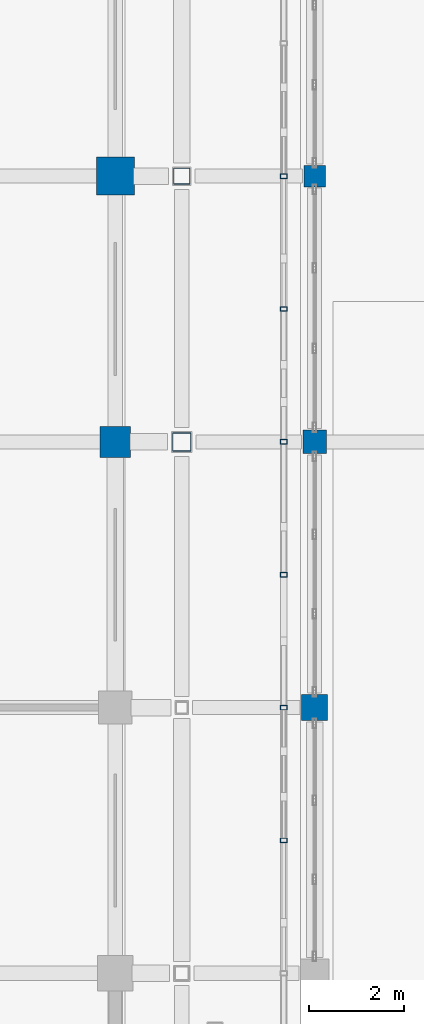
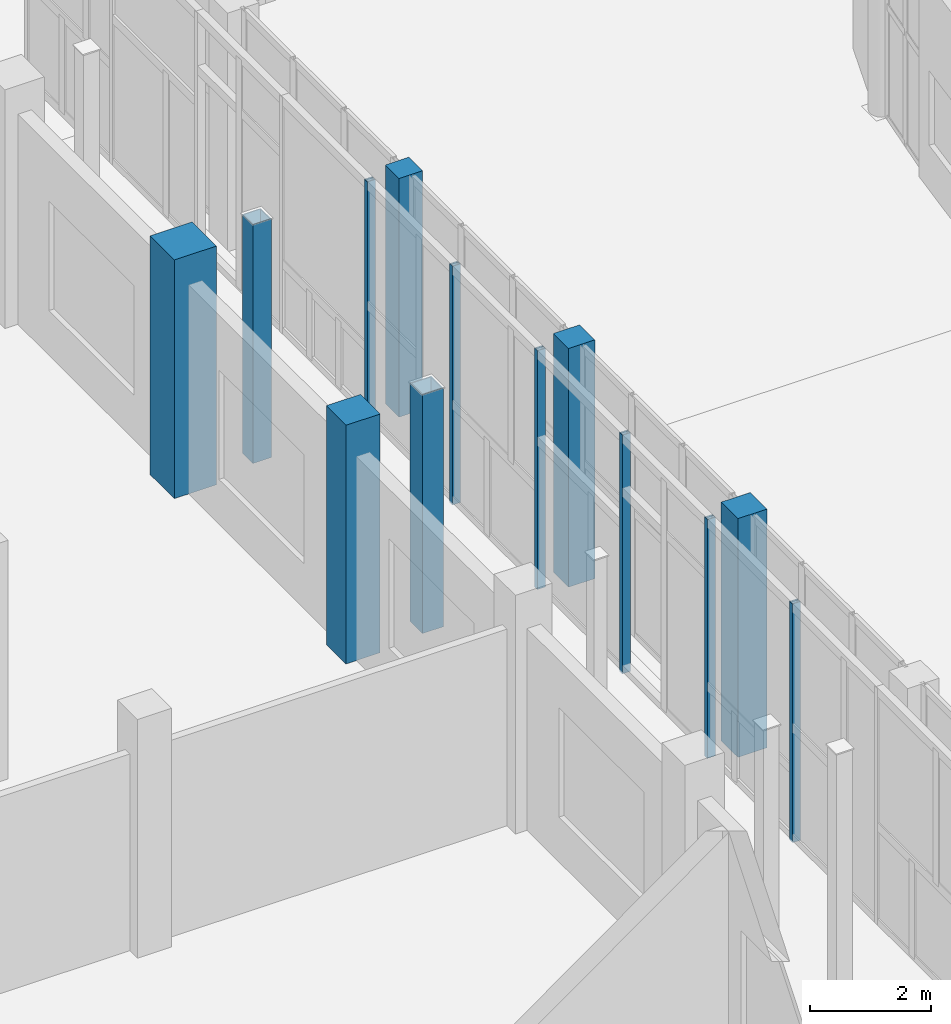
# One storey, part 8 of 91: 13 columns.
"""IFC4 building model written with IfcOpenShell, lengths in metres."""

from ifc_helpers import new_model, si_unit, direction, frame, origin, origin_2d, place, context, subcontext, project, spatial, rectangle, hollow_rectangle, extrude, material, material_profile, profile_set, type_object, element, save


model = new_model("IFC4")

# Units and contexts
model_context = context("Model", 3, precision=1e-05, world=origin(), true_north=direction((0.0, 1.0)))
body_context = subcontext(model_context, "Body", "Model", "MODEL_VIEW")
ifc_project = project(units=[si_unit("LENGTHUNIT", "METRE"), si_unit("AREAUNIT", "SQUARE_METRE"), si_unit("VOLUMEUNIT", "CUBIC_METRE"), si_unit("PLANEANGLEUNIT", "RADIAN"), si_unit("MASSUNIT", "GRAM", prefix="KILO")], contexts=[model_context])

# Site, building, storey
site_placement = place(None, origin())
site = spatial("IfcSite", under=ifc_project, at=site_placement, CompositionType="ELEMENT")
building_placement = place(site_placement, origin())
building = spatial("IfcBuilding", under=site, at=building_placement, Name="Vinh Khe Railworks Police Headquarters", CompositionType="ELEMENT")
storey_placement = place(building_placement, origin())
storey = spatial("IfcBuildingStorey", under=building, at=storey_placement, Name="L00", CompositionType="ELEMENT", Elevation=0.0)

# Columns
ifc_material_1 = material(Name="Steel S355JR", Category="steel")
ifc_material_profile_1 = material_profile(ifc_material_1, hollow_rectangle(XDim=0.14990234375, YDim=0.10009765625, WallThickness=0.008056640625, at=origin_2d()), Name="RHS 150x100x8")
ifc_profile_set_1 = profile_set([ifc_material_profile_1], Name="Steel S355JR")
column_type_1 = type_object("IfcColumnType", Name="COL-QUILT-POST", PredefinedType="COLUMN", material=ifc_profile_set_1)
for number, where, z_axis, x_axis, name in (
    (1, (25.75, 33.60009765625, 0.0), (0.0, 0.0, 1.0), (1.0, 0.0, 0.0), "Patchwork Quilt Carrier Column W-4 (L00)"),
    (2, (25.75, 36.39990234375, 0.0), (0.0, 0.0, 1.0), (1.0, 0.0, 0.0), "Patchwork Quilt Carrier Column W-5 (L00)"),
    (3, (25.75, 39.199951171875, 0.0), (0.0, 0.0, 1.0), (1.0, 0.0, 0.0), "Patchwork Quilt Carrier Column W-6 (L00)"),
    (4, (25.75, 42.0, 0.0), (0.0, 0.0, 1.0), (1.0, 0.0, 0.0), "Patchwork Quilt Carrier Column W-7 (L00)"),
    (5, (25.75, 44.800048828125, 0.0), (0.0, 0.0, 1.0), (1.0, 0.0, 0.0), "Patchwork Quilt Carrier Column W-8 (L00)"),
    (6, (25.75, 47.60009765625, 0.0), (0.0, 0.0, 1.0), (1.0, 0.0, 0.0), "Patchwork Quilt Carrier Column W-9 (L00)"),
):
    element("IfcColumn", number, at=place(storey_placement, frame(where, z_axis=z_axis, x_axis=x_axis)), inside=storey, type_object=column_type_1, Name=name, PredefinedType="COLUMN", context=body_context, shape_type="SweptSolid", body=[
        extrude(hollow_rectangle(XDim=0.14990234375, YDim=0.10009765625, WallThickness=0.008056640625, at=origin_2d()), origin(), (0.0, 0.0, 1.0), 4.800048828125),
    ])
ifc_material_2 = material(Name="Concrete C40/50 (B40)", Category="concrete")
ifc_material_profile_2 = material_profile(ifc_material_2, rectangle(XDim=0.449951171875, YDim=0.449951171875, at=origin_2d()), Name="RC 450x450")
ifc_profile_set_2 = profile_set([ifc_material_profile_2], Name="Concrete C40/50 (B40)")
column_type_2 = type_object("IfcColumnType", Name="RC Column RC 450x450", PredefinedType="COLUMN", material=ifc_profile_set_2)
column_1_placement = place(storey_placement, frame((26.39990234375, 47.60009765625, 0.0), z_axis=(0.0, 0.0, 1.0), x_axis=(1.0, 0.0, 0.0)))
element("IfcColumn", 7, at=column_1_placement, inside=storey, type_object=column_type_2, Name="Column COL-L00-CC-08-0743", PredefinedType="COLUMN", context=body_context, shape_type="SweptSolid", body=[
    extrude(rectangle(XDim=0.449951171875, YDim=0.449951171875, at=origin_2d()), origin(), (0.0, 0.0, 1.0), 4.800048828125),
])
ifc_material_profile_3 = material_profile(ifc_material_2, rectangle(XDim=0.5, YDim=0.5, at=origin_2d()), Name="RC 500x500")
ifc_profile_set_3 = profile_set([ifc_material_profile_3], Name="Concrete C40/50 (B40)")
column_type_3 = type_object("IfcColumnType", Name="RC Column RC 500x500", PredefinedType="COLUMN", material=ifc_profile_set_3)
column_2_placement = place(storey_placement, frame((26.39990234375, 42.0, 0.0), z_axis=(0.0, 0.0, 1.0), x_axis=(1.0, 0.0, 0.0)))
element("IfcColumn", 8, at=column_2_placement, inside=storey, type_object=column_type_3, Name="Column COL-L00-CC-07-0738", PredefinedType="COLUMN", context=body_context, shape_type="SweptSolid", body=[
    extrude(rectangle(XDim=0.5, YDim=0.5, at=origin_2d()), origin(), (0.0, 0.0, 1.0), 4.800048828125),
])
ifc_material_profile_4 = material_profile(ifc_material_2, rectangle(XDim=0.550048828125, YDim=0.550048828125, at=origin_2d()), Name="RC 550x550")
ifc_profile_set_4 = profile_set([ifc_material_profile_4], Name="Concrete C40/50 (B40)")
column_type_4 = type_object("IfcColumnType", Name="RC Column RC 550x550", PredefinedType="COLUMN", material=ifc_profile_set_4)
column_3_placement = place(storey_placement, frame((26.39990234375, 36.39990234375, 0.0), z_axis=(0.0, 0.0, 1.0), x_axis=(1.0, 0.0, 0.0)))
element("IfcColumn", 9, at=column_3_placement, inside=storey, type_object=column_type_4, Name="Column COL-L00-CC-06-0733", PredefinedType="COLUMN", context=body_context, shape_type="SweptSolid", body=[
    extrude(rectangle(XDim=0.550048828125, YDim=0.550048828125, at=origin_2d()), origin(), (0.0, 0.0, 1.0), 4.800048828125),
])
ifc_material_profile_5 = material_profile(ifc_material_2, rectangle(XDim=0.64990234375, YDim=0.64990234375, at=origin_2d()), Name="RC 650x650")
ifc_profile_set_5 = profile_set([ifc_material_profile_5], Name="Concrete C40/50 (B40)")
column_type_5 = type_object("IfcColumnType", Name="RC Column RC 650x650", PredefinedType="COLUMN", material=ifc_profile_set_5)
column_4_placement = place(storey_placement, frame((22.199951171875, 42.0, 0.0), z_axis=(0.0, 0.0, 1.0), x_axis=(1.0, 0.0, 0.0)))
element("IfcColumn", 10, at=column_4_placement, inside=storey, type_object=column_type_5, Name="Column COL-L00-CC-04-0545", PredefinedType="COLUMN", context=body_context, shape_type="SweptSolid", body=[
    extrude(rectangle(XDim=0.64990234375, YDim=0.64990234375, at=origin_2d()), origin(), (0.0, 0.0, 1.0), 4.800048828125),
])
ifc_material_profile_6 = material_profile(ifc_material_2, rectangle(XDim=0.800048828125, YDim=0.800048828125, at=origin_2d()), Name="RC 800x800")
ifc_profile_set_6 = profile_set([ifc_material_profile_6], Name="Concrete C40/50 (B40)")
column_type_6 = type_object("IfcColumnType", Name="RC Column RC 800x800", PredefinedType="COLUMN", material=ifc_profile_set_6)
column_5_placement = place(storey_placement, frame((22.199951171875, 47.60009765625, 0.0), z_axis=(0.0, 0.0, 1.0), x_axis=(1.0, 0.0, 0.0)))
element("IfcColumn", 11, at=column_5_placement, inside=storey, type_object=column_type_6, Name="Column COL-L00-CC-01-0554", PredefinedType="COLUMN", context=body_context, shape_type="SweptSolid", body=[
    extrude(rectangle(XDim=0.800048828125, YDim=0.800048828125, at=origin_2d()), origin(), (0.0, 0.0, 1.0), 4.800048828125),
])
ifc_material_profile_7 = material_profile(ifc_material_1, hollow_rectangle(XDim=0.35009765625, YDim=0.35009765625, WallThickness=0.01611328125, at=origin_2d()), Name="SHS 350x350x16")
ifc_profile_set_7 = profile_set([ifc_material_profile_7], Name="Steel S355JR")
column_type_7 = type_object("IfcColumnType", Name="Steel Column SHS 350x350x16", PredefinedType="COLUMN", material=ifc_profile_set_7)
column_6_placement = place(storey_placement, frame((23.60009765625, 47.60009765625, 0.0), z_axis=(0.0, 0.0, 1.0), x_axis=(1.0, 0.0, 0.0)))
element("IfcColumn", 12, at=column_6_placement, inside=storey, type_object=column_type_7, Name="Column COL-L00-SC-22-0681", PredefinedType="COLUMN", context=body_context, shape_type="SweptSolid", body=[
    extrude(hollow_rectangle(XDim=0.35009765625, YDim=0.35009765625, WallThickness=0.01611328125, at=origin_2d()), origin(), (0.0, 0.0, 1.0), 4.800048828125),
])
ifc_material_profile_8 = material_profile(ifc_material_1, hollow_rectangle(XDim=0.39990234375, YDim=0.39990234375, WallThickness=0.02001953125, at=origin_2d()), Name="SHS 400x400x20")
ifc_profile_set_8 = profile_set([ifc_material_profile_8], Name="Steel S355JR")
column_type_8 = type_object("IfcColumnType", Name="Steel Column SHS 400x400x20", PredefinedType="COLUMN", material=ifc_profile_set_8)
column_7_placement = place(storey_placement, frame((23.60009765625, 42.0, 0.0), z_axis=(0.0, 0.0, 1.0), x_axis=(1.0, 0.0, 0.0)))
element("IfcColumn", 13, at=column_7_placement, inside=storey, type_object=column_type_8, Name="Column COL-L00-SC-21-0676", PredefinedType="COLUMN", context=body_context, shape_type="SweptSolid", body=[
    extrude(hollow_rectangle(XDim=0.39990234375, YDim=0.39990234375, WallThickness=0.02001953125, at=origin_2d()), origin(), (0.0, 0.0, 1.0), 4.800048828125),
])

save(model, "model.ifc")
